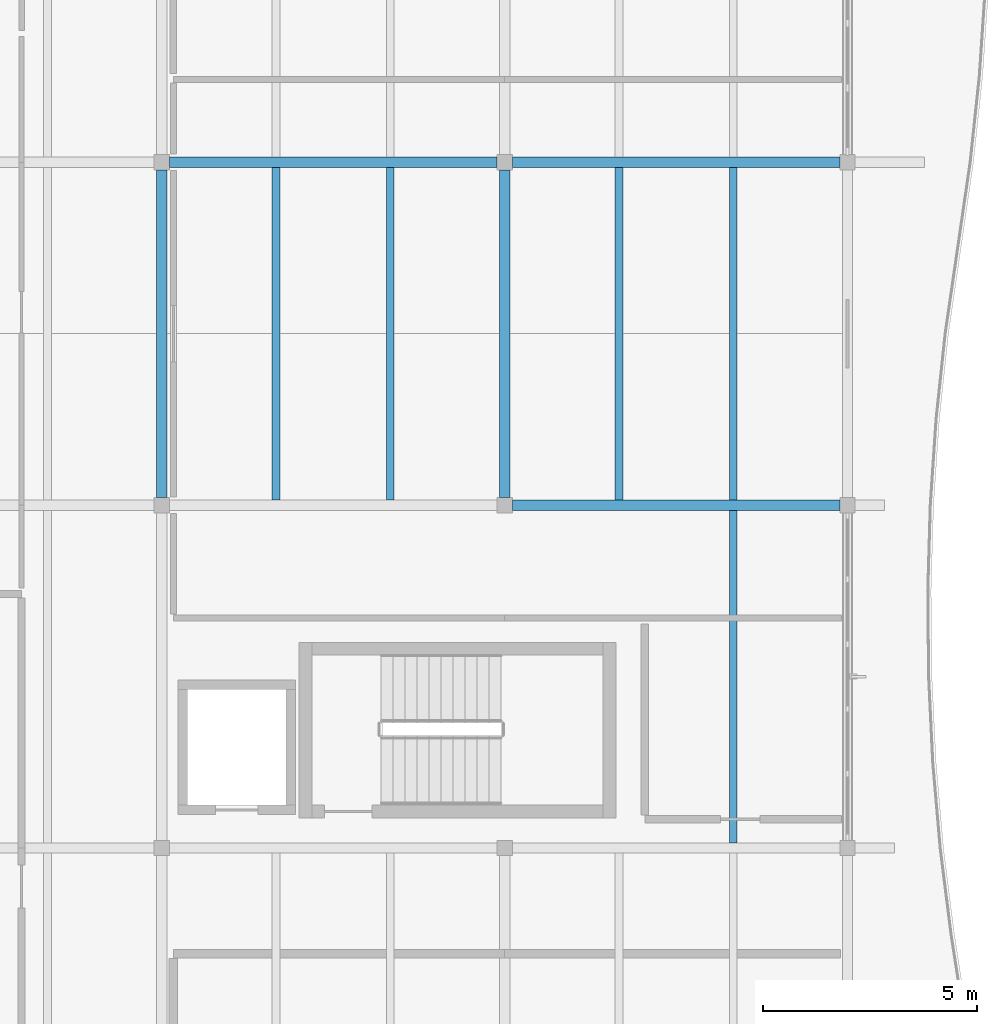
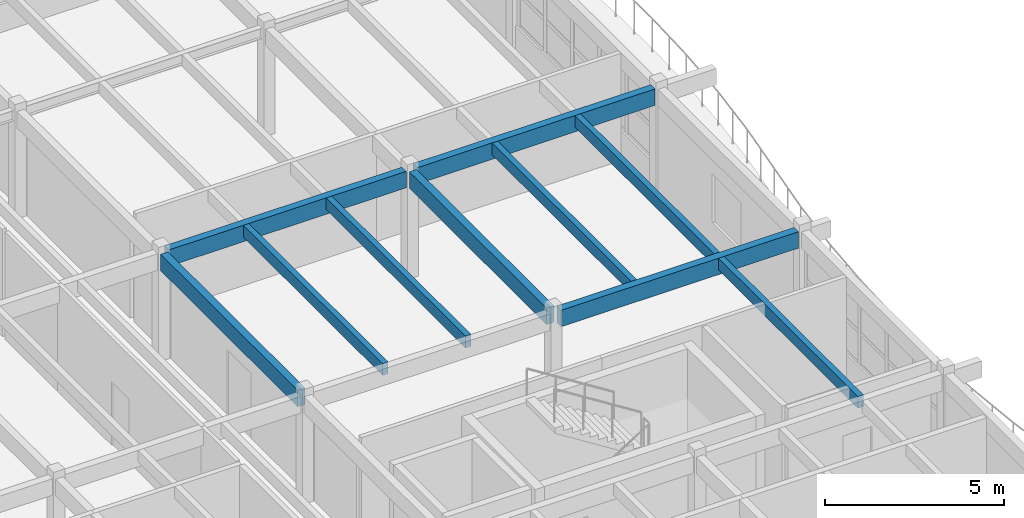
# One storey, part 10 of 63: 10 beams.
"""IFC4 building model written with IfcOpenShell, lengths in metres."""

from ifc_helpers import new_model, si_unit, direction, frame, origin, origin_2d, place, context, subcontext, project, spatial, rectangle, extrude, material, material_profile, profile_set, type_object, element, save


model = new_model("IFC4")

# Units and contexts
model_context = context("Model", 3, precision=1e-05, world=origin(), true_north=direction((0.0, 1.0)))
body_context = subcontext(model_context, "Body", "Model", "MODEL_VIEW")
ifc_project = project(units=[si_unit("LENGTHUNIT", "METRE"), si_unit("AREAUNIT", "SQUARE_METRE"), si_unit("VOLUMEUNIT", "CUBIC_METRE"), si_unit("PLANEANGLEUNIT", "RADIAN"), si_unit("MASSUNIT", "GRAM", prefix="KILO")], contexts=[model_context])

# Site, building, storey
site_placement = place(None, origin())
site = spatial("IfcSite", under=ifc_project, at=site_placement, CompositionType="ELEMENT")
building_placement = place(site_placement, origin())
building = spatial("IfcBuilding", under=site, at=building_placement, Name="Tonlespit Floodbar School", CompositionType="ELEMENT")
storey_placement = place(building_placement, frame((0.0, 0.0, 8.39990234375)))
storey = spatial("IfcBuildingStorey", under=building, at=storey_placement, Name="L02", CompositionType="ELEMENT", Elevation=8.39990234375)

# Beams
ifc_material = material(Name="Glulam GL28h", Category="wood")
ifc_material_profile_1 = material_profile(ifc_material, rectangle(XDim=0.239990234375, YDim=0.56005859375, at=origin_2d()), Name="GL 240x560")
ifc_profile_set_1 = profile_set([ifc_material_profile_1], Name="Glulam GL28h")
beam_type_1 = type_object("IfcBeamType", Name="Beam_GL_240x560", PredefinedType="BEAM", material=ifc_profile_set_1)
for number, where, z_axis, x_axis, name in (
    (1, (28.179931640625, 72.0, 3.3701171875), (1.0, 0.0, 0.0), (0.0, 1.0, 0.0), "L02 girder 0943"),
    (2, (20.179931640625, 80.0, 3.3701171875), (1.0, 0.0, 0.0), (0.0, 1.0, 0.0), "L02 girder 0946"),
    (3, (28.179931640625, 80.0, 3.3701171875), (1.0, 0.0, 0.0), (0.0, 1.0, 0.0), "L02 girder 0947"),
    (4, (20.0, 72.179931640625, 3.3701171875), (0.0, 1.0, 0.0), (-1.0, 0.0, 0.0), "L02 girder 1014"),
    (5, (28.0, 72.179931640625, 3.3701171875), (0.0, 1.0, 0.0), (-1.0, 0.0, 0.0), "L02 girder 1022"),
):
    element("IfcBeam", number, at=place(storey_placement, frame(where, z_axis=z_axis, x_axis=x_axis)), inside=storey, type_object=beam_type_1, Name=name, PredefinedType="BEAM", context=body_context, shape_type="SweptSolid", body=[
        extrude(rectangle(XDim=0.239990234375, YDim=0.56005859375, at=origin_2d()), origin(), (0.0, 0.0, 1.0), 7.64013671875),
    ])
ifc_material_profile_2 = material_profile(ifc_material, rectangle(XDim=0.179931640625, YDim=0.39990234375, at=origin_2d()), Name="GL 180x400")
ifc_profile_set_2 = profile_set([ifc_material_profile_2], Name="Glulam GL28h")
beam_type_2 = type_object("IfcBeamType", Name="Joist_GL_180x400", PredefinedType="JOIST", material=ifc_profile_set_2)
for number, where, z_axis, x_axis, name in (
    (6, (33.333251953125, 64.1201171875, 3.4501953125), (0.0, 1.0, 0.0), (-1.0, 0.0, 0.0), "L02 secondary joist 1085"),
    (7, (22.666748046875, 72.1201171875, 3.4501953125), (0.0, 1.0, 0.0), (-1.0, 0.0, 0.0), "L02 secondary joist 1088"),
    (8, (25.333251953125, 72.1201171875, 3.4501953125), (0.0, 1.0, 0.0), (-1.0, 0.0, 0.0), "L02 secondary joist 1089"),
    (9, (30.666748046875, 72.1201171875, 3.4501953125), (0.0, 1.0, 0.0), (-1.0, 0.0, 0.0), "L02 secondary joist 1090"),
    (10, (33.333251953125, 72.1201171875, 3.4501953125), (0.0, 1.0, 0.0), (-1.0, 0.0, 0.0), "L02 secondary joist 1091"),
):
    element("IfcBeam", number, at=place(storey_placement, frame(where, z_axis=z_axis, x_axis=x_axis)), inside=storey, type_object=beam_type_2, Name=name, PredefinedType="JOIST", context=body_context, shape_type="SweptSolid", body=[
        extrude(rectangle(XDim=0.179931640625, YDim=0.39990234375, at=origin_2d()), origin(), (0.0, 0.0, 1.0), 7.759765625),
    ])

save(model, "model.ifc")
